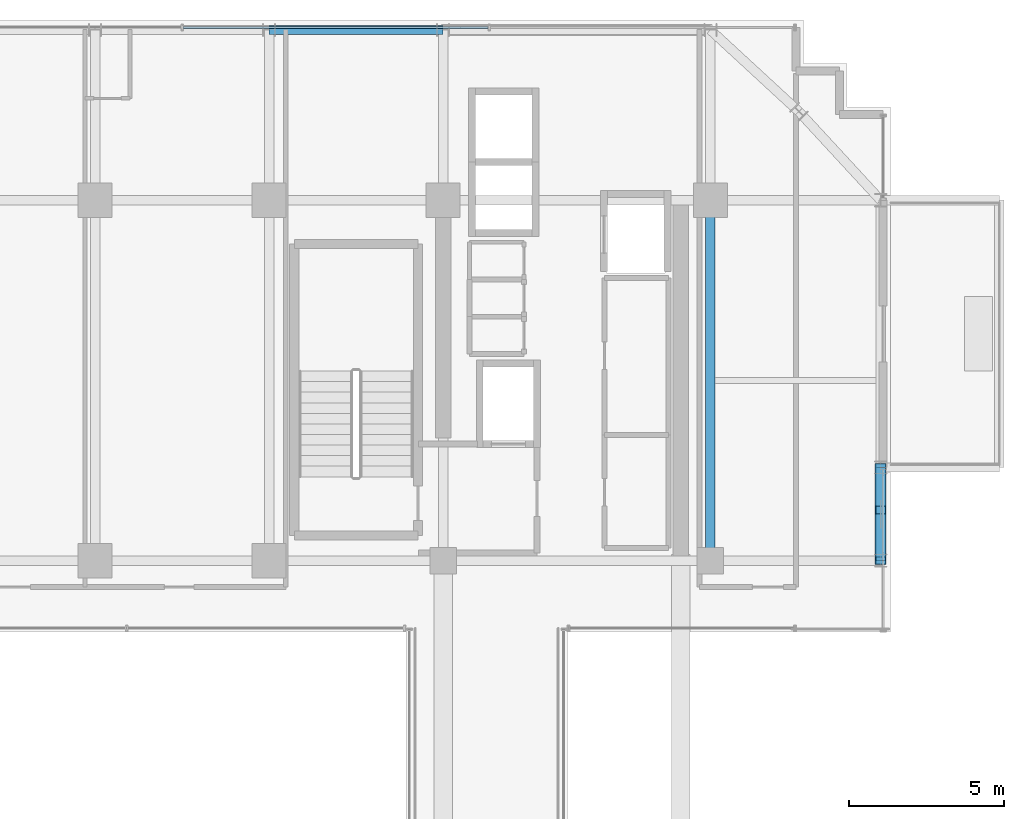
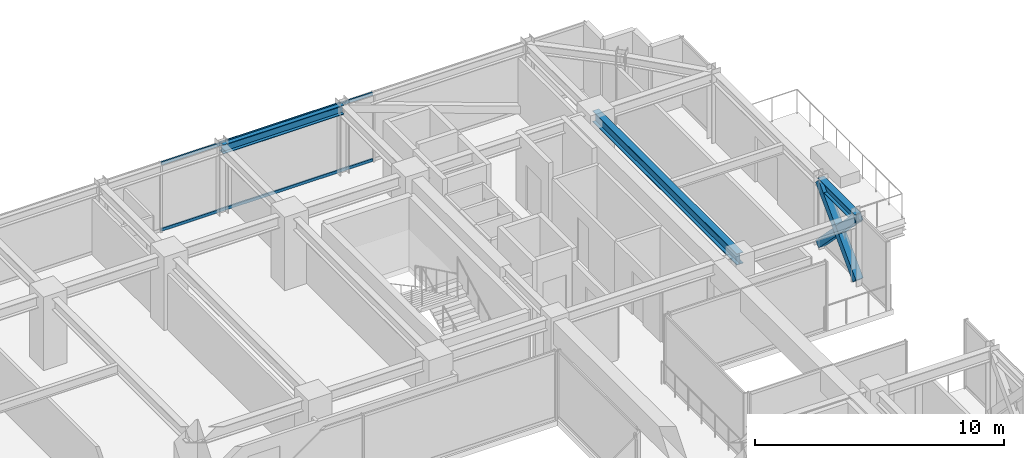
# One storey, part 25 of 38: 5 members, 3 beams, 1 element without a shape of its own.
"""IFC4 building model written with IfcOpenShell, lengths in metres."""

from ifc_helpers import new_model, si_unit, direction, frame, origin, origin_2d, place, context, subcontext, project, spatial, hollow_rectangle, i_section, extrude, source, transform, mapped, material, material_profile, profile_set, type_object, element, aggregate, save


model = new_model("IFC4")

# Units and contexts
model_context = context("Model", 3, precision=1e-05, world=origin(), true_north=direction((0.0, 1.0)))
body_context = subcontext(model_context, "Body", "Model", "MODEL_VIEW")
ifc_project = project(units=[si_unit("LENGTHUNIT", "METRE"), si_unit("AREAUNIT", "SQUARE_METRE"), si_unit("VOLUMEUNIT", "CUBIC_METRE"), si_unit("PLANEANGLEUNIT", "RADIAN"), si_unit("MASSUNIT", "GRAM", prefix="KILO")], contexts=[model_context])

# Site, building, storey
site_placement = place(None, origin())
site = spatial("IfcSite", under=ifc_project, at=site_placement, CompositionType="ELEMENT")
building_placement = place(site_placement, origin())
building = spatial("IfcBuilding", under=site, at=building_placement, Name="Nahalor Promenade Grand Hotel", CompositionType="ELEMENT")
storey_placement = place(building_placement, frame((0.0, 0.0, 178.199951171875)))
storey = spatial("IfcBuildingStorey", under=building, at=storey_placement, Name="L45", CompositionType="ELEMENT", Elevation=178.199951171875)

# Beams
ifc_material_1 = material(Name="Steel S355JR", Category="steel")
ifc_material_profile_1 = material_profile(ifc_material_1, i_section(OverallWidth=0.3, OverallDepth=0.55, WebThickness=0.015, FlangeThickness=0.029, at=origin_2d()), Name="HEB 550")
ifc_profile_set_1 = profile_set([ifc_material_profile_1], Name="Steel S355JR")
beam_type_1 = type_object("IfcBeamType", Name="Beam-Girder-HEB550", PredefinedType="BEAM", material=ifc_profile_set_1)
shared_shape_1 = source(origin(), body_context, "Body", "SweptSolid", [
    extrude(i_section(OverallWidth=0.3, OverallDepth=0.55, WebThickness=0.015, FlangeThickness=0.029, at=origin_2d()), origin(), (0.0, 0.0, 1.0), 11.60009765625),
])
beam_1_placement = place(storey_placement, frame((17.0, 5.39990234375, 3.114990234375), z_axis=(0.0, 1.0, 0.0), x_axis=(-1.0, 0.0, 0.0)))
element("IfcBeam", 1, at=beam_1_placement, inside=storey, type_object=beam_type_1, Name="BM-L45-GY-5-3", PredefinedType="BEAM", context=body_context, shape_type="MappedRepresentation", body=[
    mapped(shared_shape_1, transform((0.0, 0.0, 0.0), scale=1.0)),
])
ifc_material_profile_2 = material_profile(ifc_material_1, i_section(OverallWidth=0.3, OverallDepth=0.45, WebThickness=0.014, FlangeThickness=0.026, at=origin_2d()), Name="HEB 450")
ifc_profile_set_2 = profile_set([ifc_material_profile_2], Name="Steel S355JR")
beam_type_2 = type_object("IfcBeamType", Name="Beam-Spandrel-HEB450", PredefinedType="SPANDREL", material=ifc_profile_set_2)
shared_shape_2 = source(origin(), body_context, "Body", "SweptSolid", [
    extrude(i_section(OverallWidth=0.3, OverallDepth=0.45, WebThickness=0.014, FlangeThickness=0.026, at=origin_2d()), origin(), (0.0, 0.0, 1.0), 5.599853515625),
])
beam_2_placement = place(storey_placement, frame((2.800048828125, 22.47998046875, 3.1650390625), z_axis=(1.0, 0.0, 0.0), x_axis=(0.0, 1.0, 0.0)))
element("IfcBeam", 2, at=beam_2_placement, inside=storey, type_object=beam_type_2, Name="BM-L45-SP-N-3", PredefinedType="SPANDREL", context=body_context, shape_type="MappedRepresentation", body=[
    mapped(shared_shape_2, transform((0.0, 0.0, 0.0), scale=1.0)),
])
shared_shape_3 = source(origin(), body_context, "Body", "SweptSolid", [
    extrude(i_section(OverallWidth=0.3, OverallDepth=0.45, WebThickness=0.014, FlangeThickness=0.026, at=origin_2d()), origin(), (0.0, 0.0, 1.0), 3.0),
])
beam_3_placement = place(storey_placement, frame((22.47998046875, 5.39990234375, 3.1650390625), z_axis=(0.0, 1.0, 0.0), x_axis=(-1.0, 0.0, 0.0)))
element("IfcBeam", 3, at=beam_3_placement, inside=storey, type_object=beam_type_2, Name="BM-L45-SP-E-3", PredefinedType="SPANDREL", context=body_context, shape_type="MappedRepresentation", body=[
    mapped(shared_shape_3, transform((0.0, 0.0, 0.0), scale=1.0)),
])

# Members
ifc_material_profile_3 = material_profile(ifc_material_1, hollow_rectangle(XDim=0.35, YDim=0.35, WallThickness=0.02, at=origin_2d()), Name="SHS 350x350x20")
ifc_profile_set_3 = profile_set([ifc_material_profile_3], Name="Steel S355JR")
member_type_1 = type_object("IfcMemberType", Name="Mem-VoidBrace-SHS350", PredefinedType="BRACE", material=ifc_profile_set_3)
shared_shape_4 = source(origin(), body_context, "Body", "SweptSolid", [
    extrude(hollow_rectangle(XDim=0.35, YDim=0.35, WallThickness=0.02, at=origin_2d()), origin(), (0.0, 0.0, 1.0), 4.306640625),
])
member_1_placement = place(storey_placement, frame((22.47998046875, 5.39990234375, 0.150146484375), z_axis=(0.0, 0.696598997639, 0.717460686371), x_axis=(-1.0, 0.0, 0.0)))
element("IfcMember", 4, at=member_1_placement, inside=storey, type_object=member_type_1, Name="EXO-L45-VX1-E1", PredefinedType="BRACE", context=body_context, shape_type="MappedRepresentation", body=[
    mapped(shared_shape_4, transform((0.0, 0.0, 0.0), scale=1.0)),
])
shared_shape_5 = source(origin(), body_context, "Body", "SweptSolid", [
    extrude(hollow_rectangle(XDim=0.35, YDim=0.35, WallThickness=0.02, at=origin_2d()), origin(), (0.0, 0.0, 1.0), 1.96630859375),
])
member_2_placement = place(storey_placement, frame((22.47998046875, 6.769775390625, 1.829345703125), z_axis=(0.0, -0.696663391113, 0.71739815966), x_axis=(1.0, 0.0, 0.0)))
element("IfcMember", 5, at=member_2_placement, inside=storey, type_object=member_type_1, Name="EXO-L45-VX2-E1B", PredefinedType="BRACE", context=body_context, shape_type="MappedRepresentation", body=[
    mapped(shared_shape_5, transform((0.0, 0.0, 0.0), scale=1.0)),
])
shared_shape_6 = source(origin(), body_context, "Body", "SweptSolid", [
    extrude(hollow_rectangle(XDim=0.35, YDim=0.35, WallThickness=0.02, at=origin_2d()), origin(), (0.0, 0.0, 1.0), 1.966064453125),
])
member_3_placement = place(storey_placement, frame((22.47998046875, 8.39990234375, 0.150146484375), z_axis=(0.0, -0.696599482471, 0.717460215636), x_axis=(1.0, 0.0, 0.0)))
element("IfcMember", 6, at=member_3_placement, inside=storey, type_object=member_type_1, Name="EXO-L45-VX2-E1A", PredefinedType="BRACE", context=body_context, shape_type="MappedRepresentation", body=[
    mapped(shared_shape_6, transform((0.0, 0.0, 0.0), scale=1.0)),
])

# Curtain wall, members
ifc_material_2 = material(Name="Anodised Bronze Aluminium EN AW-6063 T6", Category="aluminium")
curtain_wall_type = type_object("IfcCurtainWallType", Name="CW3 Elliptical-Void Collar Unitised Curtain Wall", PredefinedType="USERDEFINED", material=ifc_material_2)
curtain_wall_placement = place(storey_placement, origin())
curtain_wall = element("IfcCurtainWall", 7, at=curtain_wall_placement, inside=storey, type_object=curtain_wall_type, Name="L45 Curtain Wall CW-L45-N-1", ObjectType="UNITISED_CURTAIN_WALL", PredefinedType="USERDEFINED")
ifc_material_profile_4 = material_profile(ifc_material_2, hollow_rectangle(XDim=0.07, YDim=0.14, WallThickness=0.004, at=origin_2d()), Name="CWT 70x140x4")
ifc_profile_set_4 = profile_set([ifc_material_profile_4], Name="Anodised Bronze Aluminium EN AW-6063 T6")
member_type_2 = type_object("IfcMemberType", Name="CWT3 Void Collar Transom 70x140", PredefinedType="USERDEFINED", material=ifc_profile_set_4)
shared_shape_7 = source(origin(), body_context, "Body", "SweptSolid", [
    extrude(hollow_rectangle(XDim=0.07, YDim=0.14, WallThickness=0.004, at=origin_2d()), origin(), (0.0, 0.0, 1.0), 9.81005859375),
])
member_4_placement = place(storey_placement, frame((0.034912109375, 22.56005859375, 0.070068359375), z_axis=(1.0, 0.0, 0.0), x_axis=(0.0, 1.0, 0.0)))
member_4 = element("IfcMember", 8, at=member_4_placement, type_object=member_type_2, Name="CW-L45-N-1 Transom 2-0", ObjectType="TRANSOM", PredefinedType="USERDEFINED", context=body_context, shape_type="MappedRepresentation", body=[
    mapped(shared_shape_7, transform((0.0, 0.0, 0.0), scale=1.0)),
])
member_5_placement = place(storey_placement, frame((0.034912109375, 22.56005859375, 3.320068359375), z_axis=(1.0, 0.0, 0.0), x_axis=(0.0, 1.0, 0.0)))
member_5 = element("IfcMember", 9, at=member_5_placement, type_object=member_type_2, Name="CW-L45-N-1 Transom 2-1", ObjectType="TRANSOM", PredefinedType="USERDEFINED", context=body_context, shape_type="MappedRepresentation", body=[
    mapped(shared_shape_7, transform((0.0, 0.0, 0.0), scale=1.0)),
])
aggregate(curtain_wall, [member_4, member_5])

save(model, "model.ifc")
